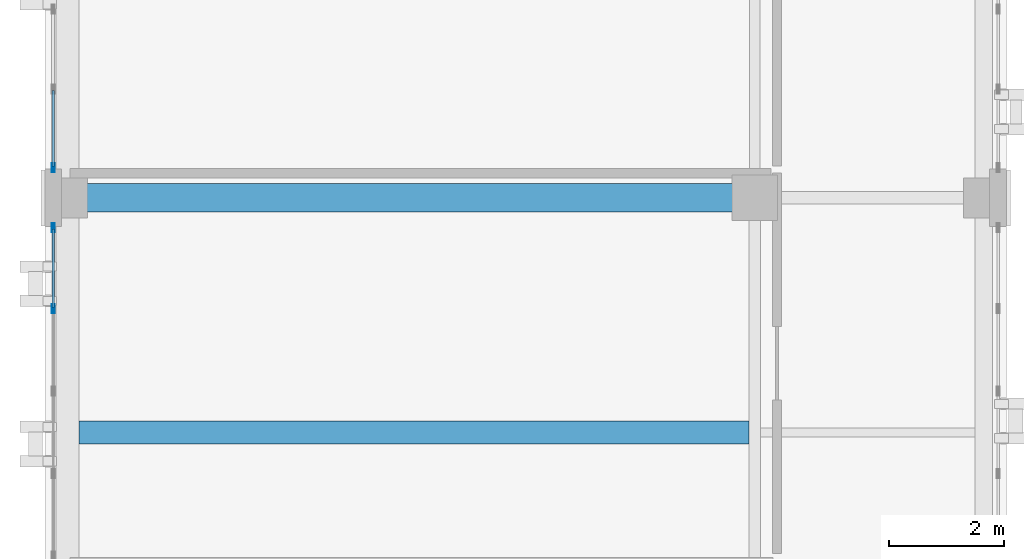
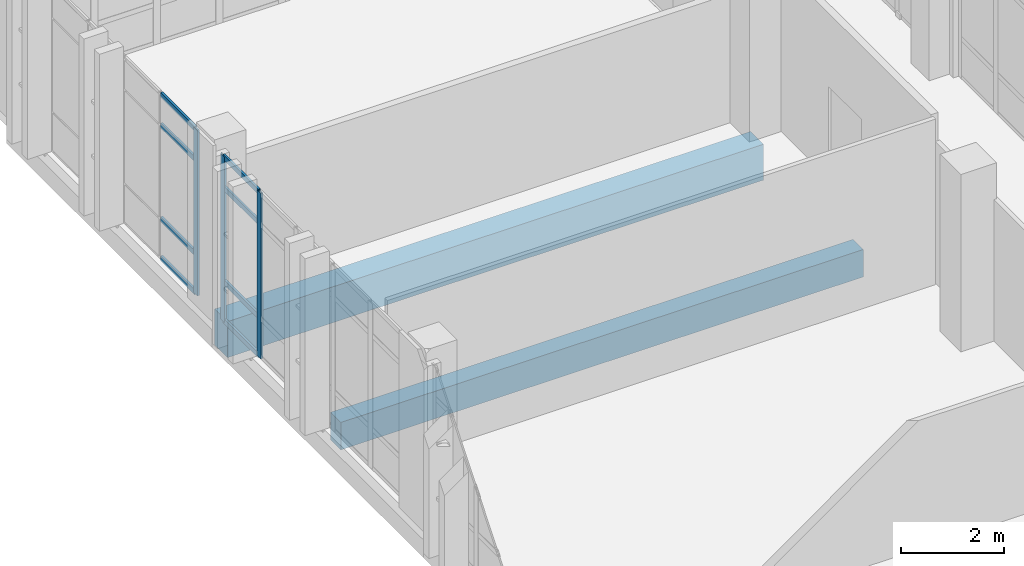
# One storey, part 74 of 165: 11 members, 2 beams, 2 elements without a shape of their own.
"""IFC4 building model written with IfcOpenShell, lengths in metres."""

from ifc_helpers import new_model, si_unit, direction, frame, origin, origin_2d, place, context, subcontext, project, spatial, rectangle, hollow_rectangle, extrude, material, layer, layer_set, material_profile, profile_set, type_object, element, aggregate, save


model = new_model("IFC4")

# Units and contexts
model_context = context("Model", 3, precision=1e-05, world=origin(), true_north=direction((0.0, 1.0)))
body_context = subcontext(model_context, "Body", "Model", "MODEL_VIEW")
ifc_project = project(units=[si_unit("LENGTHUNIT", "METRE"), si_unit("AREAUNIT", "SQUARE_METRE"), si_unit("VOLUMEUNIT", "CUBIC_METRE"), si_unit("PLANEANGLEUNIT", "RADIAN"), si_unit("MASSUNIT", "GRAM", prefix="KILO")], contexts=[model_context])

# Site, building, storey
site_placement = place(None, origin())
site = spatial("IfcSite", under=ifc_project, at=site_placement, CompositionType="ELEMENT")
building_placement = place(site_placement, origin())
building = spatial("IfcBuilding", under=site, at=building_placement, Name="Qalavern Law Courts", CompositionType="ELEMENT")
storey_placement = place(building_placement, frame((0.0, 0.0, 14.39990234375)))
storey = spatial("IfcBuildingStorey", under=building, at=storey_placement, Name="L03", CompositionType="ELEMENT", Elevation=14.39990234375)

# Curtain wall, member
ifc_material_1 = material(Name="Anodised aluminium and insulated glazing", Category="aluminium")
ifc_layer = layer(ifc_material_1, 0.172119140625)
ifc_layer_set = layer_set([ifc_layer], Name="Anodised aluminium and insulated glazing")
curtain_wall_type = type_object("IfcCurtainWallType", Name="ENV-CW-COURT", PredefinedType="USERDEFINED", material=ifc_layer_set)
curtain_wall_1_placement = place(storey_placement, origin())
curtain_wall_1 = element("IfcCurtainWall", 1, at=curtain_wall_1_placement, inside=storey, type_object=curtain_wall_type, Name="V3 unitised curtain wall L03 west 1", ObjectType="UNITISED CURTAIN WALL", PredefinedType="USERDEFINED")
ifc_material_2 = material(Name="Anodised aluminium", Category="aluminium")
ifc_material_profile_1 = material_profile(ifc_material_2, hollow_rectangle(XDim=0.048095703125, YDim=0.159912109375, WallThickness=0.00390625, at=origin_2d()), Name="ALU MULLION 48x160")
ifc_profile_set_1 = profile_set([ifc_material_profile_1], Name="Anodised aluminium")
member_type_1 = type_object("IfcMemberType", Name="ENV-CWM-48x160", PredefinedType="MULLION", material=ifc_profile_set_1)
member_1_placement = place(storey_placement, frame((2.1474609375, 88.1240234375, 0.0), z_axis=(0.0, 0.0, 1.0), x_axis=(1.0, 0.0, 0.0)))
member_1 = element("IfcMember", 2, at=member_1_placement, type_object=member_type_1, Name="CW-03 mullion 6", PredefinedType="MULLION", context=body_context, shape_type="SweptSolid", body=[
    extrude(hollow_rectangle(XDim=0.048095703125, YDim=0.159912109375, WallThickness=0.00390625, at=origin_2d()), origin(), (0.0, 0.0, 1.0), 3.920166015625),
])

# Curtain wall, members
curtain_wall_2_placement = place(storey_placement, origin())
curtain_wall_2 = element("IfcCurtainWall", 3, at=curtain_wall_2_placement, inside=storey, type_object=curtain_wall_type, Name="V3 unitised curtain wall L03 west 2", ObjectType="UNITISED CURTAIN WALL", PredefinedType="USERDEFINED")
member_2_placement = place(storey_placement, frame((2.1474609375, 87.075927734375, 0.0), z_axis=(0.0, 0.0, 1.0), x_axis=(1.0, 0.0, 0.0)))
member_2 = element("IfcMember", 4, at=member_2_placement, type_object=member_type_1, Name="CW-03 mullion 1", PredefinedType="MULLION", context=body_context, shape_type="SweptSolid", body=[
    extrude(hollow_rectangle(XDim=0.048095703125, YDim=0.159912109375, WallThickness=0.00390625, at=origin_2d()), origin(), (0.0, 0.0, 1.0), 3.920166015625),
])
member_3_placement = place(storey_placement, frame((2.1474609375, 85.659912109375, 0.0), z_axis=(0.0, 0.0, 1.0), x_axis=(1.0, 0.0, 0.0)))
member_3 = element("IfcMember", 5, at=member_3_placement, type_object=member_type_1, Name="CW-03 mullion 2", PredefinedType="MULLION", context=body_context, shape_type="SweptSolid", body=[
    extrude(hollow_rectangle(XDim=0.048095703125, YDim=0.159912109375, WallThickness=0.00390625, at=origin_2d()), origin(), (0.0, 0.0, 1.0), 3.920166015625),
])

# Member
ifc_material_profile_2 = material_profile(ifc_material_2, hollow_rectangle(XDim=0.048095703125, YDim=0.1201171875, WallThickness=0.00390625, at=origin_2d()), Name="ALU TRANSOM 48x120")
ifc_profile_set_2 = profile_set([ifc_material_profile_2], Name="Anodised aluminium")
member_type_2 = type_object("IfcMemberType", Name="ENV-CWT-48x120", PredefinedType="USERDEFINED", material=ifc_profile_set_2)
member_4_placement = place(storey_placement, frame((2.1474609375, 89.471923828125, 0.024169921875), z_axis=(0.0, -1.0, 0.0), x_axis=(1.0, 0.0, 0.0)))
member_4 = element("IfcMember", 6, at=member_4_placement, type_object=member_type_2, Name="CW-03 transom 5.1", ObjectType="TRANSOM", PredefinedType="USERDEFINED", context=body_context, shape_type="SweptSolid", body=[
    extrude(hollow_rectangle(XDim=0.048095703125, YDim=0.1201171875, WallThickness=0.00390625, at=origin_2d()), origin(), (0.0, 0.0, 1.0), 1.323974609375),
])

member_5_placement = place(storey_placement, frame((2.1474609375, 89.471923828125, 0.9501953125), z_axis=(0.0, -1.0, 0.0), x_axis=(1.0, 0.0, 0.0)))
member_5 = element("IfcMember", 7, at=member_5_placement, type_object=member_type_2, Name="CW-03 transom 5.2", ObjectType="TRANSOM", PredefinedType="USERDEFINED", context=body_context, shape_type="SweptSolid", body=[
    extrude(hollow_rectangle(XDim=0.048095703125, YDim=0.1201171875, WallThickness=0.00390625, at=origin_2d()), origin(), (0.0, 0.0, 1.0), 1.323974609375),
])

member_6_placement = place(storey_placement, frame((2.1474609375, 89.471923828125, 3.170166015625), z_axis=(0.0, -1.0, 0.0), x_axis=(1.0, 0.0, 0.0)))
member_6 = element("IfcMember", 8, at=member_6_placement, type_object=member_type_2, Name="CW-03 transom 5.3", ObjectType="TRANSOM", PredefinedType="USERDEFINED", context=body_context, shape_type="SweptSolid", body=[
    extrude(hollow_rectangle(XDim=0.048095703125, YDim=0.1201171875, WallThickness=0.00390625, at=origin_2d()), origin(), (0.0, 0.0, 1.0), 1.323974609375),
])

member_7_placement = place(storey_placement, frame((2.1474609375, 89.471923828125, 3.89599609375), z_axis=(0.0, -1.0, 0.0), x_axis=(1.0, 0.0, 0.0)))
member_7 = element("IfcMember", 9, at=member_7_placement, type_object=member_type_2, Name="CW-03 transom 5.4", ObjectType="TRANSOM", PredefinedType="USERDEFINED", context=body_context, shape_type="SweptSolid", body=[
    extrude(hollow_rectangle(XDim=0.048095703125, YDim=0.1201171875, WallThickness=0.00390625, at=origin_2d()), origin(), (0.0, 0.0, 1.0), 1.323974609375),
])

aggregate(curtain_wall_1, [member_1, member_4, member_5, member_6, member_7])

member_8_placement = place(storey_placement, frame((2.1474609375, 87.052001953125, 0.024169921875), z_axis=(0.0, -1.0, 0.0), x_axis=(1.0, 0.0, 0.0)))
member_8 = element("IfcMember", 10, at=member_8_placement, type_object=member_type_2, Name="CW-03 transom 1.1", ObjectType="TRANSOM", PredefinedType="USERDEFINED", context=body_context, shape_type="SweptSolid", body=[
    extrude(hollow_rectangle(XDim=0.048095703125, YDim=0.1201171875, WallThickness=0.00390625, at=origin_2d()), origin(), (0.0, 0.0, 1.0), 1.367919921875),
])

member_9_placement = place(storey_placement, frame((2.1474609375, 87.052001953125, 0.9501953125), z_axis=(0.0, -1.0, 0.0), x_axis=(1.0, 0.0, 0.0)))
member_9 = element("IfcMember", 11, at=member_9_placement, type_object=member_type_2, Name="CW-03 transom 1.2", ObjectType="TRANSOM", PredefinedType="USERDEFINED", context=body_context, shape_type="SweptSolid", body=[
    extrude(hollow_rectangle(XDim=0.048095703125, YDim=0.1201171875, WallThickness=0.00390625, at=origin_2d()), origin(), (0.0, 0.0, 1.0), 1.367919921875),
])

member_10_placement = place(storey_placement, frame((2.1474609375, 87.052001953125, 3.170166015625), z_axis=(0.0, -1.0, 0.0), x_axis=(1.0, 0.0, 0.0)))
member_10 = element("IfcMember", 12, at=member_10_placement, type_object=member_type_2, Name="CW-03 transom 1.3", ObjectType="TRANSOM", PredefinedType="USERDEFINED", context=body_context, shape_type="SweptSolid", body=[
    extrude(hollow_rectangle(XDim=0.048095703125, YDim=0.1201171875, WallThickness=0.00390625, at=origin_2d()), origin(), (0.0, 0.0, 1.0), 1.367919921875),
])

member_11_placement = place(storey_placement, frame((2.1474609375, 87.052001953125, 3.89599609375), z_axis=(0.0, -1.0, 0.0), x_axis=(1.0, 0.0, 0.0)))
member_11 = element("IfcMember", 13, at=member_11_placement, type_object=member_type_2, Name="CW-03 transom 1.4", ObjectType="TRANSOM", PredefinedType="USERDEFINED", context=body_context, shape_type="SweptSolid", body=[
    extrude(hollow_rectangle(XDim=0.048095703125, YDim=0.1201171875, WallThickness=0.00390625, at=origin_2d()), origin(), (0.0, 0.0, 1.0), 1.367919921875),
])

aggregate(curtain_wall_2, [member_2, member_3, member_8, member_9, member_10, member_11])

# Beams
ifc_material_3 = material(Name="Concrete C40/50", Category="concrete")
ifc_material_profile_3 = material_profile(ifc_material_3, rectangle(XDim=0.5, YDim=0.85009765625, at=origin_2d()), Name="RC 500x850")
ifc_profile_set_3 = profile_set([ifc_material_profile_3], Name="Concrete C40/50")
beam_type_1 = type_object("IfcBeamType", Name="STR-BM-RC500x850", PredefinedType="BEAM", material=ifc_profile_set_3)
beam_1_placement = place(storey_placement, frame((2.39990234375, 87.60009765625, -0.7099609375), z_axis=(1.0, 0.0, 0.0), x_axis=(0.0, 1.0, 0.0)))
element("IfcBeam", 14, at=beam_1_placement, inside=storey, type_object=beam_type_1, Name="V3 X-beam 7-1 L03", PredefinedType="BEAM", context=body_context, shape_type="SweptSolid", body=[
    extrude(rectangle(XDim=0.5, YDim=0.85009765625, at=origin_2d()), origin(), (0.0, 0.0, 1.0), 12.0),
])
ifc_material_4 = material(Name="Concrete C35/45", Category="concrete")
ifc_material_profile_4 = material_profile(ifc_material_4, rectangle(XDim=0.39990234375, YDim=0.64990234375, at=origin_2d()), Name="RC 400x650")
ifc_profile_set_4 = profile_set([ifc_material_profile_4], Name="Concrete C35/45")
beam_type_2 = type_object("IfcBeamType", Name="STR-JST-RC400x650", PredefinedType="JOIST", material=ifc_profile_set_4)
beam_2_placement = place(storey_placement, frame((2.597900390625, 83.5, -0.60986328125), z_axis=(1.0, 0.0, 0.0), x_axis=(0.0, 1.0, 0.0)))
element("IfcBeam", 15, at=beam_2_placement, inside=storey, type_object=beam_type_2, Name="V3 secondary joist 1.6.1 L03", PredefinedType="JOIST", context=body_context, shape_type="SweptSolid", body=[
    extrude(rectangle(XDim=0.39990234375, YDim=0.64990234375, at=origin_2d()), origin(), (0.0, 0.0, 1.0), 11.7041015625),
])

save(model, "model.ifc")
